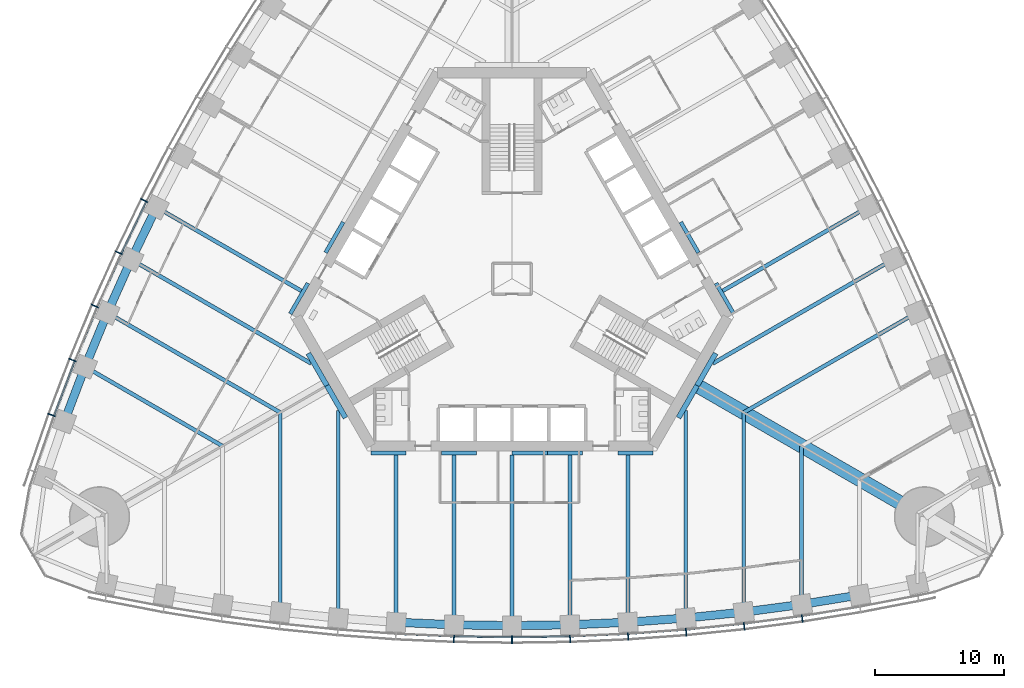
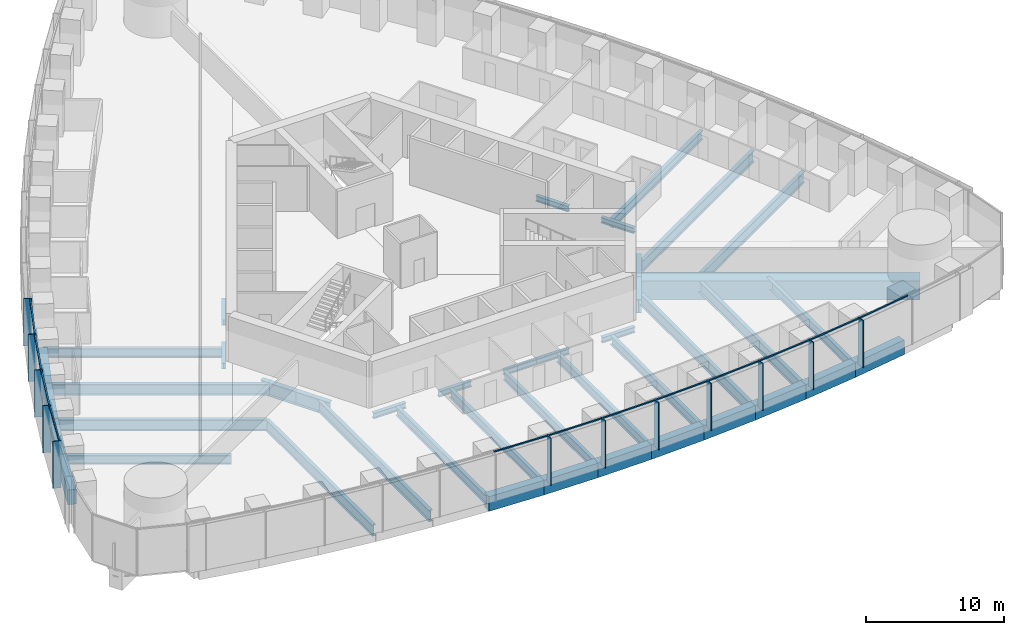
# One storey, part 3 of 18: 43 beams, 24 members, 2 elements without a shape of their own.
"""IFC4 building model written with IfcOpenShell, lengths in metres."""

from ifc_helpers import new_model, si_unit, direction, frame, origin, origin_2d, place, context, subcontext, project, spatial, rectangle, i_section, extrude, material, material_profile, profile_set, type_object, element, aggregate, save


model = new_model("IFC4")

# Units and contexts
model_context = context("Model", 3, precision=1e-05, world=origin(), true_north=direction((0.0, 1.0)))
body_context = subcontext(model_context, "Body", "Model", "MODEL_VIEW")
ifc_project = project(units=[si_unit("LENGTHUNIT", "METRE"), si_unit("AREAUNIT", "SQUARE_METRE"), si_unit("VOLUMEUNIT", "CUBIC_METRE"), si_unit("PLANEANGLEUNIT", "RADIAN"), si_unit("MASSUNIT", "GRAM", prefix="KILO")], contexts=[model_context])

# Site, building, storey
site_placement = place(None, origin())
site = spatial("IfcSite", under=ifc_project, at=site_placement, CompositionType="ELEMENT")
building_placement = place(site_placement, origin())
building = spatial("IfcBuilding", under=site, at=building_placement, Name="Trefoil Bronze Tower", CompositionType="ELEMENT")
storey_placement = place(building_placement, frame((0.0, 0.0, 50.10009765625)))
storey = spatial("IfcBuildingStorey", under=building, at=storey_placement, Name="L11", CompositionType="ELEMENT", Elevation=50.10009765625)

# Curtain wall, members
ifc_material_1 = material(Name="Tinted solar-control glass", Category="glass")
curtain_wall_type = type_object("IfcCurtainWallType", Name="Bronze office curtain wall", PredefinedType="USERDEFINED", material=ifc_material_1)
curtain_wall_1_placement = place(storey_placement, origin())
curtain_wall_1 = element("IfcCurtainWall", 1, at=curtain_wall_1_placement, inside=storey, type_object=curtain_wall_type, Name="CW-A L11 F1", ObjectType="CURTAIN WALL", PredefinedType="USERDEFINED")
ifc_material_2 = material(Name="Bronze-finish aluminium", Category="aluminium")
ifc_material_profile_1 = material_profile(ifc_material_2, rectangle(XDim=0.60009765625, YDim=0.080078125, at=origin_2d()), Name="CW-A mullion")
ifc_profile_set_1 = profile_set([ifc_material_profile_1], Name="Bronze-finish aluminium")
member_type_1 = type_object("IfcMemberType", Name="Bronze office curtain wall mullion", PredefinedType="MULLION", material=ifc_profile_set_1)
member_1_placement = place(storey_placement, frame((-4.5087890625, -27.9833984375, 0.0), z_axis=(0.0, 0.0, 1.0), x_axis=(0.029021671584, 0.999578782577, 0.0)))
member_1 = element("IfcMember", 2, at=member_1_placement, type_object=member_type_1, Name="CW-A L11 F1 mullion 8", PredefinedType="MULLION", context=body_context, shape_type="SweptSolid", body=[
    extrude(rectangle(XDim=0.60009765625, YDim=0.080078125, at=origin_2d()), origin(), (0.0, 0.0, 1.0), 4.179931640625),
])
member_2_placement = place(storey_placement, frame((0.0, -28.048828125, 0.0), z_axis=(0.0, 0.0, 1.0), x_axis=(0.0, 1.0, 0.0)))
member_2 = element("IfcMember", 3, at=member_2_placement, type_object=member_type_1, Name="CW-A L11 F1 mullion 9", PredefinedType="MULLION", context=body_context, shape_type="SweptSolid", body=[
    extrude(rectangle(XDim=0.60009765625, YDim=0.080078125, at=origin_2d()), origin(), (0.0, 0.0, 1.0), 4.179931640625),
])
member_3_placement = place(storey_placement, frame((4.5087890625, -27.9833984375, 0.0), z_axis=(0.0, 0.0, 1.0), x_axis=(-0.029021671584, 0.999578782577, 0.0)))
member_3 = element("IfcMember", 4, at=member_3_placement, type_object=member_type_1, Name="CW-A L11 F1 mullion 10", PredefinedType="MULLION", context=body_context, shape_type="SweptSolid", body=[
    extrude(rectangle(XDim=0.60009765625, YDim=0.080078125, at=origin_2d()), origin(), (0.0, 0.0, 1.0), 4.179931640625),
])
member_4_placement = place(storey_placement, frame((9.017333984375, -27.786865234375, 0.0), z_axis=(0.0, 0.0, 1.0), x_axis=(-0.058043374207, 0.998314062162, 0.0)))
member_4 = element("IfcMember", 5, at=member_4_placement, type_object=member_type_1, Name="CW-A L11 F1 mullion 11", PredefinedType="MULLION", context=body_context, shape_type="SweptSolid", body=[
    extrude(rectangle(XDim=0.60009765625, YDim=0.080078125, at=origin_2d()), origin(), (0.0, 0.0, 1.0), 4.179931640625),
])
member_5_placement = place(storey_placement, frame((13.526123046875, -27.458984375, 0.0), z_axis=(0.0, 0.0, 1.0), x_axis=(-0.087065139456, 0.996202620701, 0.0)))
member_5 = element("IfcMember", 6, at=member_5_placement, type_object=member_type_1, Name="CW-A L11 F1 mullion 12", PredefinedType="MULLION", context=body_context, shape_type="SweptSolid", body=[
    extrude(rectangle(XDim=0.60009765625, YDim=0.080078125, at=origin_2d()), origin(), (0.0, 0.0, 1.0), 4.179931640625),
])
member_6_placement = place(storey_placement, frame((18.034912109375, -26.99853515625, 0.0), z_axis=(0.0, 0.0, 1.0), x_axis=(-0.116086999973, 0.993239048989, 0.0)))
member_6 = element("IfcMember", 7, at=member_6_placement, type_object=member_type_1, Name="CW-A L11 F1 mullion 13", PredefinedType="MULLION", context=body_context, shape_type="SweptSolid", body=[
    extrude(rectangle(XDim=0.60009765625, YDim=0.080078125, at=origin_2d()), origin(), (0.0, 0.0, 1.0), 4.179931640625),
])
member_7_placement = place(storey_placement, frame((22.54345703125, -26.40478515625, 0.0), z_axis=(0.0, 0.0, 1.0), x_axis=(-0.145108990094, 0.989415676546, 0.0)))
member_7 = element("IfcMember", 8, at=member_7_placement, type_object=member_type_1, Name="CW-A L11 F1 mullion 14", PredefinedType="MULLION", context=body_context, shape_type="SweptSolid", body=[
    extrude(rectangle(XDim=0.60009765625, YDim=0.080078125, at=origin_2d()), origin(), (0.0, 0.0, 1.0), 4.179931640625),
])

curtain_wall_2_placement = place(storey_placement, origin())
curtain_wall_2 = element("IfcCurtainWall", 9, at=curtain_wall_2_placement, inside=storey, type_object=curtain_wall_type, Name="CW-A L11 F3", ObjectType="CURTAIN WALL", PredefinedType="USERDEFINED")
member_8_placement = place(storey_placement, frame((-28.57275390625, 6.084228515625, 0.0), z_axis=(0.0, 0.0, 1.0), x_axis=(0.893587025891, -0.448889994497, 0.0)))
member_8 = element("IfcMember", 10, at=member_8_placement, type_object=member_type_1, Name="CW-A L11 F3 mullion 11", PredefinedType="MULLION", context=body_context, shape_type="SweptSolid", body=[
    extrude(rectangle(XDim=0.60009765625, YDim=0.080078125, at=origin_2d()), origin(), (0.0, 0.0, 1.0), 4.179931640625),
])
member_9_placement = place(storey_placement, frame((-30.543212890625, 2.015380859375, 0.0), z_axis=(0.0, 0.0, 1.0), x_axis=(0.906269346572, -0.422700687798, 0.0)))
member_9 = element("IfcMember", 11, at=member_9_placement, type_object=member_type_1, Name="CW-A L11 F3 mullion 12", PredefinedType="MULLION", context=body_context, shape_type="SweptSolid", body=[
    extrude(rectangle(XDim=0.60009765625, YDim=0.080078125, at=origin_2d()), origin(), (0.0, 0.0, 1.0), 4.179931640625),
])
member_10_placement = place(storey_placement, frame((-32.39892578125, -2.119384765625, 0.0), z_axis=(0.0, 0.0, 1.0), x_axis=(0.918213748442, -0.396085233469, 0.0)))
member_10 = element("IfcMember", 12, at=member_10_placement, type_object=member_type_1, Name="CW-A L11 F3 mullion 13", PredefinedType="MULLION", context=body_context, shape_type="SweptSolid", body=[
    extrude(rectangle(XDim=0.60009765625, YDim=0.080078125, at=origin_2d()), origin(), (0.0, 0.0, 1.0), 4.179931640625),
])
member_11_placement = place(storey_placement, frame((-34.138916015625, -6.32080078125, 0.0), z_axis=(0.0, 0.0, 1.0), x_axis=(0.929413605838, -0.369039766534, 0.0)))
member_11 = element("IfcMember", 13, at=member_11_placement, type_object=member_type_1, Name="CW-A L11 F3 mullion 14", PredefinedType="MULLION", context=body_context, shape_type="SweptSolid", body=[
    extrude(rectangle(XDim=0.60009765625, YDim=0.080078125, at=origin_2d()), origin(), (0.0, 0.0, 1.0), 4.179931640625),
])
member_12_placement = place(storey_placement, frame((-35.761962890625, -10.590087890625, 0.0), z_axis=(0.0, 0.0, 1.0), x_axis=(0.939860248316, -0.341559238839, 0.0)))
member_12 = element("IfcMember", 14, at=member_12_placement, type_object=member_type_1, Name="CW-A L11 F3 mullion 15", PredefinedType="MULLION", context=body_context, shape_type="SweptSolid", body=[
    extrude(rectangle(XDim=0.60009765625, YDim=0.080078125, at=origin_2d()), origin(), (0.0, 0.0, 1.0), 4.179931640625),
])

# Member
ifc_material_3 = material(Name="Bronze-finish aluminium", Category="aluminium")
ifc_material_profile_2 = material_profile(ifc_material_3, rectangle(XDim=0.1201171875, YDim=0.10009765625, at=origin_2d()), Name="CW-A transom")
ifc_profile_set_2 = profile_set([ifc_material_profile_2], Name="Bronze-finish aluminium")
member_type_2 = type_object("IfcMemberType", Name="Bronze office curtain wall transom", PredefinedType="USERDEFINED", material=ifc_profile_set_2)
member_13_placement = place(storey_placement, frame((-8.96435546875, -27.589111328125, 4.1298828125), z_axis=(0.999054074786, -0.043485119914, 0.0), x_axis=(0.043485119914, 0.999054074786, 0.0)))
member_13 = element("IfcMember", 15, at=member_13_placement, type_object=member_type_2, Name="CW-A L11 F1 transom 7", ObjectType="TRANSOM", PredefinedType="USERDEFINED", context=body_context, shape_type="SweptSolid", body=[
    extrude(rectangle(XDim=0.1201171875, YDim=0.10009765625, at=origin_2d()), origin(), (0.0, 0.0, 1.0), 4.424072265625),
])

member_14_placement = place(storey_placement, frame((-4.46142578125, -27.783935546875, 4.1298828125), z_axis=(0.999894497273, -0.014525643658, 0.0), x_axis=(0.014525643658, 0.999894497273, 0.0)))
member_14 = element("IfcMember", 16, at=member_14_placement, type_object=member_type_2, Name="CW-A L11 F1 transom 8", ObjectType="TRANSOM", PredefinedType="USERDEFINED", context=body_context, shape_type="SweptSolid", body=[
    extrude(rectangle(XDim=0.1201171875, YDim=0.10009765625, at=origin_2d()), origin(), (0.0, 0.0, 1.0), 4.42041015625),
])

member_15_placement = place(storey_placement, frame((0.04150390625, -27.84814453125, 4.1298828125), z_axis=(0.999894497273, 0.014525643658, 0.0), x_axis=(-0.014525643658, 0.999894497273, 0.0)))
member_15 = element("IfcMember", 17, at=member_15_placement, type_object=member_type_2, Name="CW-A L11 F1 transom 9", ObjectType="TRANSOM", PredefinedType="USERDEFINED", context=body_context, shape_type="SweptSolid", body=[
    extrude(rectangle(XDim=0.1201171875, YDim=0.10009765625, at=origin_2d()), origin(), (0.0, 0.0, 1.0), 4.42041015625),
])

member_16_placement = place(storey_placement, frame((4.54443359375, -27.781494140625, 4.1298828125), z_axis=(0.999054074786, 0.043485119914, 0.0), x_axis=(-0.043485119914, 0.999054074786, 0.0)))
member_16 = element("IfcMember", 18, at=member_16_placement, type_object=member_type_2, Name="CW-A L11 F1 transom 10", ObjectType="TRANSOM", PredefinedType="USERDEFINED", context=body_context, shape_type="SweptSolid", body=[
    extrude(rectangle(XDim=0.1201171875, YDim=0.10009765625, at=origin_2d()), origin(), (0.0, 0.0, 1.0), 4.424072265625),
])

member_17_placement = place(storey_placement, frame((9.047119140625, -27.584228515625, 4.1298828125), z_axis=(0.997364729945, 0.07255064067, 0.0), x_axis=(-0.07255064067, 0.997364729945, 0.0)))
member_17 = element("IfcMember", 19, at=member_17_placement, type_object=member_type_2, Name="CW-A L11 F1 transom 11", ObjectType="TRANSOM", PredefinedType="USERDEFINED", context=body_context, shape_type="SweptSolid", body=[
    extrude(rectangle(XDim=0.1201171875, YDim=0.10009765625, at=origin_2d()), origin(), (0.0, 0.0, 1.0), 4.431884765625),
])

member_18_placement = place(storey_placement, frame((13.550048828125, -27.25537109375, 4.1298828125), z_axis=(0.994831650915, 0.101538102888, 0.0), x_axis=(-0.101538102888, 0.994831650915, 0.0)))
member_18 = element("IfcMember", 20, at=member_18_placement, type_object=member_type_2, Name="CW-A L11 F1 transom 12", ObjectType="TRANSOM", PredefinedType="USERDEFINED", context=body_context, shape_type="SweptSolid", body=[
    extrude(rectangle(XDim=0.1201171875, YDim=0.10009765625, at=origin_2d()), origin(), (0.0, 0.0, 1.0), 4.443359375),
])

member_19_placement = place(storey_placement, frame((18.052734375, -26.79443359375, 4.1298828125), z_axis=(0.991436581643, 0.13058906761, 0.0), x_axis=(-0.13058906761, 0.991436581643, 0.0)))
member_19 = element("IfcMember", 21, at=member_19_placement, type_object=member_type_2, Name="CW-A L11 F1 transom 13", ObjectType="TRANSOM", PredefinedType="USERDEFINED", context=body_context, shape_type="SweptSolid", body=[
    extrude(rectangle(XDim=0.1201171875, YDim=0.10009765625, at=origin_2d()), origin(), (0.0, 0.0, 1.0), 4.458740234375),
])

member_20_placement = place(storey_placement, frame((22.555419921875, -26.2001953125, 4.1298828125), z_axis=(0.987179401487, 0.159614627398, 0.0), x_axis=(-0.159614627398, 0.987179401487, 0.0)))
member_20 = element("IfcMember", 22, at=member_20_placement, type_object=member_type_2, Name="CW-A L11 F1 transom 14", ObjectType="TRANSOM", PredefinedType="USERDEFINED", context=body_context, shape_type="SweptSolid", body=[
    extrude(rectangle(XDim=0.1201171875, YDim=0.10009765625, at=origin_2d()), origin(), (0.0, 0.0, 1.0), 4.478515625),
])

aggregate(curtain_wall_1, [member_1, member_2, member_3, member_4, member_5, member_6, member_7, member_13, member_14, member_15, member_16, member_17, member_18, member_19, member_20])

member_21_placement = place(storey_placement, frame((-28.412109375, 5.95703125, 4.1298828125), z_axis=(-0.435851763293, -0.900018466719, 0.0), x_axis=(0.900018466719, -0.435851763293, 0.0)))
member_21 = element("IfcMember", 23, at=member_21_placement, type_object=member_type_2, Name="CW-A L11 F3 transom 11", ObjectType="TRANSOM", PredefinedType="USERDEFINED", context=body_context, shape_type="SweptSolid", body=[
    extrude(rectangle(XDim=0.1201171875, YDim=0.10009765625, at=origin_2d()), origin(), (0.0, 0.0, 1.0), 4.431884765625),
])

member_22_placement = place(storey_placement, frame((-30.37890625, 1.89306640625, 4.1298828125), z_axis=(-0.409459746452, -0.912328184392, 0.0), x_axis=(0.912328184392, -0.409459746452, 0.0)))
member_22 = element("IfcMember", 24, at=member_22_placement, type_object=member_type_2, Name="CW-A L11 F3 transom 12", ObjectType="TRANSOM", PredefinedType="USERDEFINED", context=body_context, shape_type="SweptSolid", body=[
    extrude(rectangle(XDim=0.1201171875, YDim=0.10009765625, at=origin_2d()), origin(), (0.0, 0.0, 1.0), 4.443359375),
])

member_23_placement = place(storey_placement, frame((-32.231201171875, -2.23681640625, 4.1298828125), z_axis=(-0.382616149417, -0.923907399151, 0.0), x_axis=(0.923907399151, -0.382616149417, 0.0)))
member_23 = element("IfcMember", 25, at=member_23_placement, type_object=member_type_2, Name="CW-A L11 F3 transom 13", ObjectType="TRANSOM", PredefinedType="USERDEFINED", context=body_context, shape_type="SweptSolid", body=[
    extrude(rectangle(XDim=0.1201171875, YDim=0.10009765625, at=origin_2d()), origin(), (0.0, 0.0, 1.0), 4.458984375),
])

member_24_placement = place(storey_placement, frame((-33.9677734375, -6.433349609375, 4.1298828125), z_axis=(-0.355367327392, -0.934726731522, 0.0), x_axis=(0.934726731522, -0.355367327392, 0.0)))
member_24 = element("IfcMember", 26, at=member_24_placement, type_object=member_type_2, Name="CW-A L11 F3 transom 14", ObjectType="TRANSOM", PredefinedType="USERDEFINED", context=body_context, shape_type="SweptSolid", body=[
    extrude(rectangle(XDim=0.1201171875, YDim=0.10009765625, at=origin_2d()), origin(), (0.0, 0.0, 1.0), 4.478515625),
])

aggregate(curtain_wall_2, [member_8, member_9, member_10, member_11, member_12, member_21, member_22, member_23, member_24])

# Beams
ifc_material_4 = material(Name="Steel C355", Category="steel")
ifc_material_profile_3 = material_profile(ifc_material_4, i_section(OverallWidth=0.300048828125, OverallDepth=0.5, WebThickness=0.014404296875, FlangeThickness=0.028076171875, FilletRadius=0.027099609375, at=origin_2d()), Name="HEB 500")
ifc_profile_set_3 = profile_set([ifc_material_profile_3], Name="Steel C355")
beam_type_1 = type_object("IfcBeamType", Name="Core seat beam HEB 500", PredefinedType="BEAM", material=ifc_profile_set_3)
for number, where, z_axis, x_axis, name in (
    (27, (-10.9697265625, -13.550048828125, -0.4501953125), (1.0, 0.0, 0.0), (0.0, 1.0, 0.0), "Core seat beam F1/-2 L11"),
    (28, (-5.48486328125, -13.550048828125, -0.4501953125), (1.0, 0.0, 0.0), (0.0, 1.0, 0.0), "Core seat beam F1/-1 L11"),
    (29, (0.0, -13.550048828125, -0.4501953125), (1.0, 0.0, 0.0), (0.0, 1.0, 0.0), "Core seat beam F1/+0 L11"),
    (30, (2.742431640625, -13.550048828125, -0.4501953125), (1.0, 0.0, 0.0), (0.0, 1.0, 0.0), "Core seat beam F1/+1 L11"),
    (31, (8.227294921875, -13.550048828125, -0.4501953125), (1.0, 0.0, 0.0), (0.0, 1.0, 0.0), "Core seat beam F1/+2 L11"),
    (32, (17.219482421875, -2.72509765625, -0.4501953125), (-0.500035825175, 0.866004719122, 0.0), (-0.866004719122, -0.500035825175, 0.0), "Core seat beam F2/-2 L11"),
    (33, (14.47705078125, 2.02490234375, -0.4501953125), (-0.499969057507, 0.866043267704, 0.0), (-0.866043267704, -0.499969057507, 0.0), "Core seat beam F2/-1 L11"),
    (34, (-13.10595703125, 4.39990234375, -0.4501953125), (-0.499969057507, -0.866043267704, 0.0), (0.866043267704, -0.499969057507, 0.0), "Core seat beam F3/+1 L11"),
    (35, (-15.84814453125, -0.35009765625, -0.4501953125), (-0.500035825175, -0.866004719122, 0.0), (0.866004719122, -0.500035825175, 0.0), "Core seat beam F3/+2 L11"),
):
    element("IfcBeam", number, at=place(storey_placement, frame(where, z_axis=z_axis, x_axis=x_axis)), inside=storey, type_object=beam_type_1, Name=name, PredefinedType="BEAM", context=body_context, shape_type="SweptSolid", body=[
        extrude(i_section(OverallWidth=0.300048828125, OverallDepth=0.5, WebThickness=0.014404296875, FlangeThickness=0.028076171875, FilletRadius=0.027099609375, at=origin_2d()), origin(), (0.0, 0.0, 1.0), 2.742431640625),
    ])
ifc_material_5 = material(Name="Steel C355", Category="steel")
ifc_material_profile_4 = material_profile(ifc_material_5, i_section(OverallWidth=0.39990234375, OverallDepth=1.199951171875, WebThickness=0.02001953125, FlangeThickness=0.0400390625, FilletRadius=0.010009765625, at=origin_2d()), Name="WPG 1200")
ifc_profile_set_4 = profile_set([ifc_material_profile_4], Name="Steel C355")
beam_type_2 = type_object("IfcBeamType", Name="Core seat beam WPG 1200", PredefinedType="BEAM", material=ifc_profile_set_4)
for number, where, z_axis, x_axis, name in (
    (36, (-14.3759765625, -8.300048828125, -0.800048828125), (0.499995765644, -0.866027848477, 0.0), (0.866027848477, 0.499995765644, 0.0), "Core seat beam F1/-3 L11"),
    (37, (12.9326171875, -10.800048828125, -0.800048828125), (0.499995765644, 0.866027848477, 0.0), (-0.866027848477, 0.499995765644, 0.0), "Core seat beam F1/+3 L11"),
    (38, (14.3759765625, -8.300048828125, -0.800048828125), (0.499995765644, 0.866027848477, 0.0), (-0.866027848477, 0.499995765644, 0.0), "Core seat beam F2/-3 L11"),
    (39, (-15.8193359375, -5.800048828125, -0.800048828125), (0.499995765644, -0.866027848477, 0.0), (0.866027848477, 0.499995765644, 0.0), "Core seat beam F3/+3 L11"),
):
    element("IfcBeam", number, at=place(storey_placement, frame(where, z_axis=z_axis, x_axis=x_axis)), inside=storey, type_object=beam_type_2, Name=name, PredefinedType="BEAM", context=body_context, shape_type="SweptSolid", body=[
        extrude(i_section(OverallWidth=0.39990234375, OverallDepth=1.199951171875, WebThickness=0.02001953125, FlangeThickness=0.0400390625, FilletRadius=0.010009765625, at=origin_2d()), origin(), (0.0, 0.0, 1.0), 2.88671875),
    ])
ifc_material_6 = material(Name="Concrete B80", Category="concrete")
ifc_material_profile_5 = material_profile(ifc_material_6, rectangle(XDim=1.10009765625, YDim=1.699951171875, at=origin_2d()), Name="RC 1100x1700")
ifc_profile_set_5 = profile_set([ifc_material_profile_5], Name="Concrete B80")
beam_type_3 = type_object("IfcBeamType", Name="Corner girder RC 1100x1700", PredefinedType="BEAM", material=ifc_profile_set_5)
beam_1_placement = place(storey_placement, frame((14.202880859375, -8.199951171875, -1.050048828125), z_axis=(0.866023947468, -0.500002522405, 0.0), x_axis=(0.500002522405, 0.866023947468, 0.0)))
element("IfcBeam", 40, at=beam_1_placement, inside=storey, type_object=beam_type_3, Name="Corner girder K1 L11", PredefinedType="BEAM", context=body_context, shape_type="SweptSolid", body=[
    extrude(rectangle(XDim=1.10009765625, YDim=1.699951171875, at=origin_2d()), origin(), (0.0, 0.0, 1.0), 20.60009765625),
])
ifc_material_7 = material(Name="Steel C355", Category="steel")
ifc_material_profile_6 = material_profile(ifc_material_7, i_section(OverallWidth=0.300048828125, OverallDepth=1.0, WebThickness=0.01904296875, FlangeThickness=0.035888671875, FilletRadius=0.030029296875, at=origin_2d()), Name="HEB 1000")
ifc_profile_set_6 = profile_set([ifc_material_profile_6], Name="Steel C355")
beam_type_4 = type_object("IfcBeamType", Name="Floor beam HEB 1000", PredefinedType="BEAM", material=ifc_profile_set_6)
for number, where, z_axis, x_axis, name in (
    (41, (-18.0, -25.895263671875, -0.7001953125), (0.0, 1.0, 0.0), (-1.0, 0.0, 0.0), "Floor beam F1/-4 L11"),
    (42, (18.0, -25.895263671875, -0.7001953125), (0.0, 1.0, 0.0), (-1.0, 0.0, 0.0), "Floor beam F1/+4 L11"),
):
    element("IfcBeam", number, at=place(storey_placement, frame(where, z_axis=z_axis, x_axis=x_axis)), inside=storey, type_object=beam_type_4, Name=name, PredefinedType="BEAM", context=body_context, shape_type="SweptSolid", body=[
        extrude(i_section(OverallWidth=0.300048828125, OverallDepth=1.0, WebThickness=0.01904296875, FlangeThickness=0.035888671875, FilletRadius=0.030029296875, at=origin_2d()), origin(), (0.0, 0.0, 1.0), 15.5029296875),
    ])
for number, where, z_axis, x_axis, name in (
    (43, (31.42578125, -2.640869140625, -0.7001953125), (-0.866022989816, -0.500004181093, 0.0), (0.500004181093, -0.866022989816, 0.0), "Floor beam F2/-4 L11"),
    (44, (-31.42578125, -2.640869140625, -0.7001953125), (0.866022989816, -0.500004181093, 0.0), (0.500004181093, 0.866022989816, 0.0), "Floor beam F3/+4 L11"),
):
    element("IfcBeam", number, at=place(storey_placement, frame(where, z_axis=z_axis, x_axis=x_axis)), inside=storey, type_object=beam_type_4, Name=name, PredefinedType="BEAM", context=body_context, shape_type="SweptSolid", body=[
        extrude(i_section(OverallWidth=0.300048828125, OverallDepth=1.0, WebThickness=0.01904296875, FlangeThickness=0.035888671875, FilletRadius=0.030029296875, at=origin_2d()), origin(), (0.0, 0.0, 1.0), 15.502685546875),
    ])
ifc_material_8 = material(Name="Steel C355", Category="steel")
ifc_material_profile_7 = material_profile(ifc_material_8, i_section(OverallWidth=0.300048828125, OverallDepth=0.800048828125, WebThickness=0.017578125, FlangeThickness=0.032958984375, FilletRadius=0.030029296875, at=origin_2d()), Name="HEB 800")
ifc_profile_set_7 = profile_set([ifc_material_profile_7], Name="Steel C355")
beam_type_5 = type_object("IfcBeamType", Name="Floor beam HEB 800", PredefinedType="BEAM", material=ifc_profile_set_7)
beam_2_placement = place(storey_placement, frame((-9.0, -26.68603515625, -0.60009765625), z_axis=(0.0, 1.0, 0.0), x_axis=(-1.0, 0.0, 0.0)))
element("IfcBeam", 45, at=beam_2_placement, inside=storey, type_object=beam_type_5, Name="Floor beam F1/-2 L11", PredefinedType="BEAM", context=body_context, shape_type="SweptSolid", body=[
    extrude(i_section(OverallWidth=0.300048828125, OverallDepth=0.800048828125, WebThickness=0.017578125, FlangeThickness=0.032958984375, FilletRadius=0.030029296875, at=origin_2d()), origin(), (0.0, 0.0, 1.0), 12.986083984375),
])
beam_3_placement = place(storey_placement, frame((-4.5, -26.883056640625, -0.60009765625), z_axis=(0.0, 1.0, 0.0), x_axis=(-1.0, 0.0, 0.0)))
element("IfcBeam", 46, at=beam_3_placement, inside=storey, type_object=beam_type_5, Name="Floor beam F1/-1 L11", PredefinedType="BEAM", context=body_context, shape_type="SweptSolid", body=[
    extrude(i_section(OverallWidth=0.300048828125, OverallDepth=0.800048828125, WebThickness=0.017578125, FlangeThickness=0.032958984375, FilletRadius=0.030029296875, at=origin_2d()), origin(), (0.0, 0.0, 1.0), 13.18310546875),
])
beam_4_placement = place(storey_placement, frame((0.0, -26.94873046875, -0.60009765625), z_axis=(0.0, 1.0, 0.0), x_axis=(-1.0, 0.0, 0.0)))
element("IfcBeam", 47, at=beam_4_placement, inside=storey, type_object=beam_type_5, Name="Floor beam F1/+0 L11", PredefinedType="BEAM", context=body_context, shape_type="SweptSolid", body=[
    extrude(i_section(OverallWidth=0.300048828125, OverallDepth=0.800048828125, WebThickness=0.017578125, FlangeThickness=0.032958984375, FilletRadius=0.030029296875, at=origin_2d()), origin(), (0.0, 0.0, 1.0), 13.248779296875),
])
beam_5_placement = place(storey_placement, frame((4.5, -26.883056640625, -0.60009765625), z_axis=(0.0, 1.0, 0.0), x_axis=(-1.0, 0.0, 0.0)))
element("IfcBeam", 48, at=beam_5_placement, inside=storey, type_object=beam_type_5, Name="Floor beam F1/+1 L11", PredefinedType="BEAM", context=body_context, shape_type="SweptSolid", body=[
    extrude(i_section(OverallWidth=0.300048828125, OverallDepth=0.800048828125, WebThickness=0.017578125, FlangeThickness=0.032958984375, FilletRadius=0.030029296875, at=origin_2d()), origin(), (0.0, 0.0, 1.0), 13.18310546875),
])
beam_6_placement = place(storey_placement, frame((9.0, -26.68603515625, -0.60009765625), z_axis=(0.0, 1.0, 0.0), x_axis=(-1.0, 0.0, 0.0)))
element("IfcBeam", 49, at=beam_6_placement, inside=storey, type_object=beam_type_5, Name="Floor beam F1/+2 L11", PredefinedType="BEAM", context=body_context, shape_type="SweptSolid", body=[
    extrude(i_section(OverallWidth=0.300048828125, OverallDepth=0.800048828125, WebThickness=0.017578125, FlangeThickness=0.032958984375, FilletRadius=0.030029296875, at=origin_2d()), origin(), (0.0, 0.0, 1.0), 12.986083984375),
])
beam_7_placement = place(storey_placement, frame((22.5, -25.29931640625, -0.60009765625), z_axis=(0.0, 1.0, 0.0), x_axis=(-1.0, 0.0, 0.0)))
element("IfcBeam", 50, at=beam_7_placement, inside=storey, type_object=beam_type_5, Name="Floor beam F1/+5 L11", PredefinedType="BEAM", context=body_context, shape_type="SweptSolid", body=[
    extrude(i_section(OverallWidth=0.300048828125, OverallDepth=0.800048828125, WebThickness=0.017578125, FlangeThickness=0.032958984375, FilletRadius=0.030029296875, at=origin_2d()), origin(), (0.0, 0.0, 1.0), 12.308837890625),
])
for number, where, z_axis, x_axis, name in (
    (51, (27.61083984375, 5.548828125, -0.60009765625), (-0.866022474361, -0.500005073876, 0.0), (0.500005073876, -0.866022474361, 0.0), "Floor beam F2/-2 L11"),
    (52, (-27.61083984375, 5.548828125, -0.60009765625), (0.866022474361, -0.500005073876, 0.0), (0.500005073876, 0.866022474361, 0.0), "Floor beam F3/+2 L11"),
):
    element("IfcBeam", number, at=place(storey_placement, frame(where, z_axis=z_axis, x_axis=x_axis)), inside=storey, type_object=beam_type_5, Name=name, PredefinedType="BEAM", context=body_context, shape_type="SweptSolid", body=[
        extrude(i_section(OverallWidth=0.300048828125, OverallDepth=0.800048828125, WebThickness=0.017578125, FlangeThickness=0.032958984375, FilletRadius=0.030029296875, at=origin_2d()), origin(), (0.0, 0.0, 1.0), 12.986083984375),
    ])
beam_8_placement = place(storey_placement, frame((-33.159912109375, -6.8359375, -0.60009765625), z_axis=(0.866024070878, -0.500002308654, 0.0), x_axis=(0.500002308654, 0.866024070878, 0.0)))
element("IfcBeam", 53, at=beam_8_placement, inside=storey, type_object=beam_type_5, Name="Floor beam F3/+5 L11", PredefinedType="BEAM", context=body_context, shape_type="SweptSolid", body=[
    extrude(i_section(OverallWidth=0.300048828125, OverallDepth=0.800048828125, WebThickness=0.017578125, FlangeThickness=0.032958984375, FilletRadius=0.030029296875, at=origin_2d()), origin(), (0.0, 0.0, 1.0), 12.30908203125),
])
ifc_material_9 = material(Name="Steel C355", Category="steel")
ifc_material_profile_8 = material_profile(ifc_material_9, i_section(OverallWidth=0.302001953125, OverallDepth=1.008056640625, WebThickness=0.02099609375, FlangeThickness=0.0400390625, FilletRadius=0.030029296875, at=origin_2d()), Name="HEM 1000")
ifc_profile_set_8 = profile_set([ifc_material_profile_8], Name="Steel C355")
beam_type_6 = type_object("IfcBeamType", Name="Floor beam HEM 1000", PredefinedType="BEAM", material=ifc_profile_set_8)
for number, where, z_axis, x_axis, name in (
    (54, (-13.5, -26.35693359375, -0.7041015625), (0.0, 1.0, 0.0), (-1.0, 0.0, 0.0), "Floor beam F1/-3 L11"),
    (55, (13.5, -26.35693359375, -0.7041015625), (0.0, 1.0, 0.0), (-1.0, 0.0, 0.0), "Floor beam F1/+3 L11"),
):
    element("IfcBeam", number, at=place(storey_placement, frame(where, z_axis=z_axis, x_axis=x_axis)), inside=storey, type_object=beam_type_6, Name=name, PredefinedType="BEAM", context=body_context, shape_type="SweptSolid", body=[
        extrude(i_section(OverallWidth=0.302001953125, OverallDepth=1.008056640625, WebThickness=0.02099609375, FlangeThickness=0.0400390625, FilletRadius=0.030029296875, at=origin_2d()), origin(), (0.0, 0.0, 1.0), 16.1396484375),
    ])
for number, where, z_axis, x_axis, name in (
    (56, (29.575927734375, 1.487060546875, -0.7041015625), (-0.866028401131, -0.499994808408, 0.0), (0.499994808408, -0.866028401131, 0.0), "Floor beam F2/-3 L11"),
    (57, (-29.575927734375, 1.487060546875, -0.7041015625), (0.866028401131, -0.499994808408, 0.0), (0.499994808408, 0.866028401131, 0.0), "Floor beam F3/+3 L11"),
):
    element("IfcBeam", number, at=place(storey_placement, frame(where, z_axis=z_axis, x_axis=x_axis)), inside=storey, type_object=beam_type_6, Name=name, PredefinedType="BEAM", context=body_context, shape_type="SweptSolid", body=[
        extrude(i_section(OverallWidth=0.302001953125, OverallDepth=1.008056640625, WebThickness=0.02099609375, FlangeThickness=0.0400390625, FilletRadius=0.030029296875, at=origin_2d()), origin(), (0.0, 0.0, 1.0), 16.139892578125),
    ])
ifc_material_10 = material(Name="Concrete B80", Category="concrete")
ifc_material_profile_9 = material_profile(ifc_material_10, rectangle(XDim=0.64990234375, YDim=1.300048828125, at=origin_2d()), Name="RC 650x1300")
ifc_profile_set_9 = profile_set([ifc_material_profile_9], Name="Concrete B80")
beam_type_7 = type_object("IfcBeamType", Name="Spandrel beam RC 650x1300", PredefinedType="SPANDREL", material=ifc_profile_set_9)
beam_9_placement = place(storey_placement, frame((-9.0, -26.68603515625, -0.85009765625), z_axis=(0.999042919826, -0.043740648671, 0.0), x_axis=(0.043740648671, 0.999042919826, 0.0)))
element("IfcBeam", 58, at=beam_9_placement, inside=storey, type_object=beam_type_7, Name="Spandrel F1.7 L11", PredefinedType="SPANDREL", context=body_context, shape_type="SweptSolid", body=[
    extrude(rectangle(XDim=0.64990234375, YDim=1.300048828125, at=origin_2d()), origin(), (0.0, 0.0, 1.0), 4.50439453125),
])
for number, where, z_axis, x_axis, name in (
    (59, (-4.5, -26.883056640625, -0.85009765625), (0.999893521905, -0.014592630067, 0.0), (0.014592630067, 0.999893521905, 0.0), "Spandrel F1.8 L11"),
    (60, (0.0, -26.94873046875, -0.85009765625), (0.999893521905, 0.014592630067, 0.0), (-0.014592630067, 0.999893521905, 0.0), "Spandrel F1.9 L11"),
):
    element("IfcBeam", number, at=place(storey_placement, frame(where, z_axis=z_axis, x_axis=x_axis)), inside=storey, type_object=beam_type_7, Name=name, PredefinedType="SPANDREL", context=body_context, shape_type="SweptSolid", body=[
        extrude(rectangle(XDim=0.64990234375, YDim=1.300048828125, at=origin_2d()), origin(), (0.0, 0.0, 1.0), 4.50048828125),
    ])
beam_10_placement = place(storey_placement, frame((4.5, -26.883056640625, -0.85009765625), z_axis=(0.999042919826, 0.043740648671, 0.0), x_axis=(-0.043740648671, 0.999042919826, 0.0)))
element("IfcBeam", 61, at=beam_10_placement, inside=storey, type_object=beam_type_7, Name="Spandrel F1.10 L11", PredefinedType="SPANDREL", context=body_context, shape_type="SweptSolid", body=[
    extrude(rectangle(XDim=0.64990234375, YDim=1.300048828125, at=origin_2d()), origin(), (0.0, 0.0, 1.0), 4.50439453125),
])
beam_11_placement = place(storey_placement, frame((9.0, -26.68603515625, -0.85009765625), z_axis=(0.997336412354, 0.072938882588, 0.0), x_axis=(-0.072938882588, 0.997336412354, 0.0)))
element("IfcBeam", 62, at=beam_11_placement, inside=storey, type_object=beam_type_7, Name="Spandrel F1.11 L11", PredefinedType="SPANDREL", context=body_context, shape_type="SweptSolid", body=[
    extrude(rectangle(XDim=0.64990234375, YDim=1.300048828125, at=origin_2d()), origin(), (0.0, 0.0, 1.0), 4.511962890625),
])
beam_12_placement = place(storey_placement, frame((13.5, -26.35693359375, -0.85009765625), z_axis=(0.994778488621, 0.102057623805, 0.0), x_axis=(-0.102057623805, 0.994778488621, 0.0)))
element("IfcBeam", 63, at=beam_12_placement, inside=storey, type_object=beam_type_7, Name="Spandrel F1.12 L11", PredefinedType="SPANDREL", context=body_context, shape_type="SweptSolid", body=[
    extrude(rectangle(XDim=0.64990234375, YDim=1.300048828125, at=origin_2d()), origin(), (0.0, 0.0, 1.0), 4.523681640625),
])
beam_13_placement = place(storey_placement, frame((18.0, -25.895263671875, -0.85009765625), z_axis=(0.991344474846, 0.131286450906, 0.0), x_axis=(-0.131286450906, 0.991344474846, 0.0)))
element("IfcBeam", 64, at=beam_13_placement, inside=storey, type_object=beam_type_7, Name="Spandrel F1.13 L11", PredefinedType="SPANDREL", context=body_context, shape_type="SweptSolid", body=[
    extrude(rectangle(XDim=0.64990234375, YDim=1.300048828125, at=origin_2d()), origin(), (0.0, 0.0, 1.0), 4.539306640625),
])
beam_14_placement = place(storey_placement, frame((22.5, -25.29931640625, -0.85009765625), z_axis=(0.987045951254, 0.160437807615, 0.0), x_axis=(-0.160437807615, 0.987045951254, 0.0)))
element("IfcBeam", 65, at=beam_14_placement, inside=storey, type_object=beam_type_7, Name="Spandrel F1.14 L11", PredefinedType="SPANDREL", context=body_context, shape_type="SweptSolid", body=[
    extrude(rectangle(XDim=0.64990234375, YDim=1.300048828125, at=origin_2d()), origin(), (0.0, 0.0, 1.0), 4.55908203125),
])
beam_15_placement = place(storey_placement, frame((-27.61083984375, 5.548828125, -0.85009765625), z_axis=(-0.435510013583, -0.900183885697, 0.0), x_axis=(0.900183885697, -0.435510013583, 0.0)))
element("IfcBeam", 66, at=beam_15_placement, inside=storey, type_object=beam_type_7, Name="Spandrel F3.11 L11", PredefinedType="SPANDREL", context=body_context, shape_type="SweptSolid", body=[
    extrude(rectangle(XDim=0.64990234375, YDim=1.300048828125, at=origin_2d()), origin(), (0.0, 0.0, 1.0), 4.51220703125),
])
beam_16_placement = place(storey_placement, frame((-29.575927734375, 1.487060546875, -0.85009765625), z_axis=(-0.408945873044, -0.912558640812, 0.0), x_axis=(0.912558640812, -0.408945873044, 0.0)))
element("IfcBeam", 67, at=beam_16_placement, inside=storey, type_object=beam_type_7, Name="Spandrel F3.12 L11", PredefinedType="SPANDREL", context=body_context, shape_type="SweptSolid", body=[
    extrude(rectangle(XDim=0.64990234375, YDim=1.300048828125, at=origin_2d()), origin(), (0.0, 0.0, 1.0), 4.5234375),
])
beam_17_placement = place(storey_placement, frame((-31.42578125, -2.640869140625, -0.85009765625), z_axis=(-0.382020825144, -0.924153715113, 0.0), x_axis=(0.924153715113, -0.382020825144, 0.0)))
element("IfcBeam", 68, at=beam_17_placement, inside=storey, type_object=beam_type_7, Name="Spandrel F3.13 L11", PredefinedType="SPANDREL", context=body_context, shape_type="SweptSolid", body=[
    extrude(rectangle(XDim=0.64990234375, YDim=1.300048828125, at=origin_2d()), origin(), (0.0, 0.0, 1.0), 4.539306640625),
])
beam_18_placement = place(storey_placement, frame((-33.159912109375, -6.8359375, -0.85009765625), z_axis=(-0.354571899767, -0.935028752443, 0.0), x_axis=(0.935028752443, -0.354571899767, 0.0)))
element("IfcBeam", 69, at=beam_18_placement, inside=storey, type_object=beam_type_7, Name="Spandrel F3.14 L11", PredefinedType="SPANDREL", context=body_context, shape_type="SweptSolid", body=[
    extrude(rectangle(XDim=0.64990234375, YDim=1.300048828125, at=origin_2d()), origin(), (0.0, 0.0, 1.0), 4.558837890625),
])

save(model, "model.ifc")
